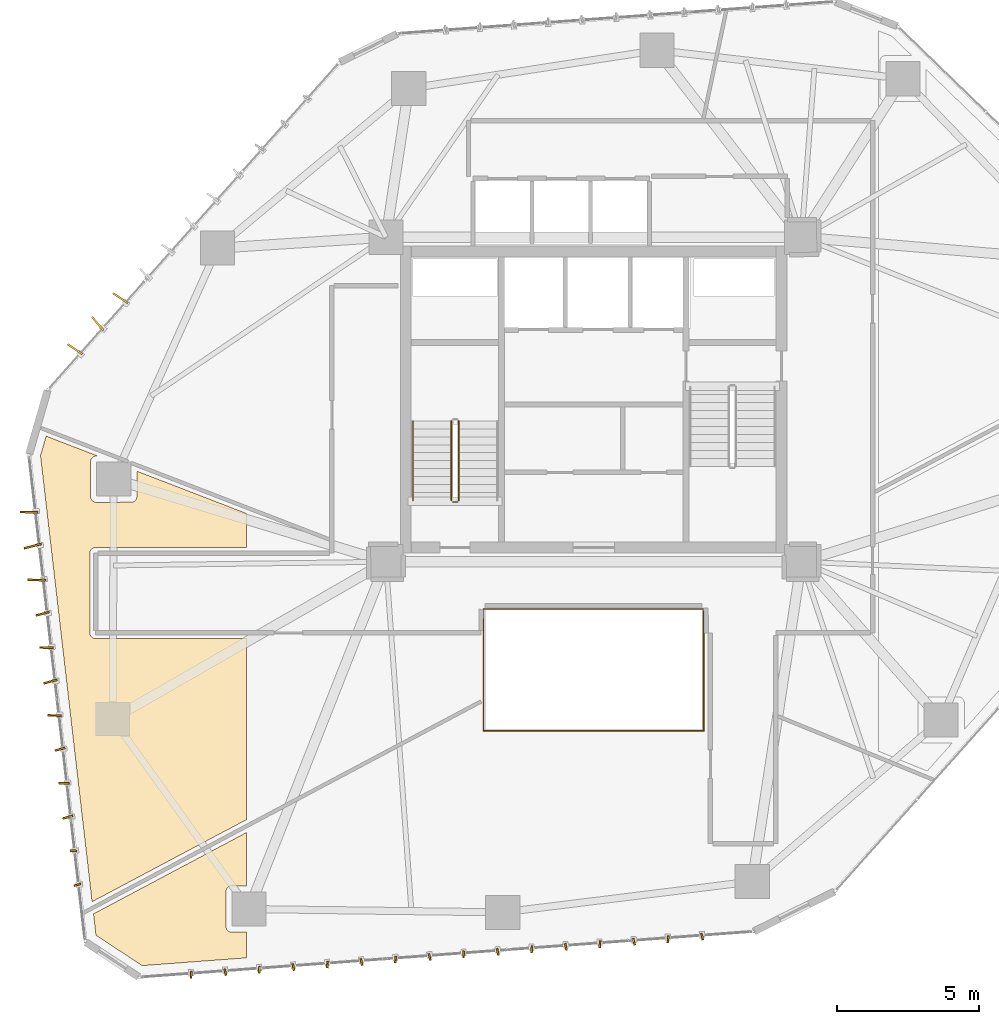
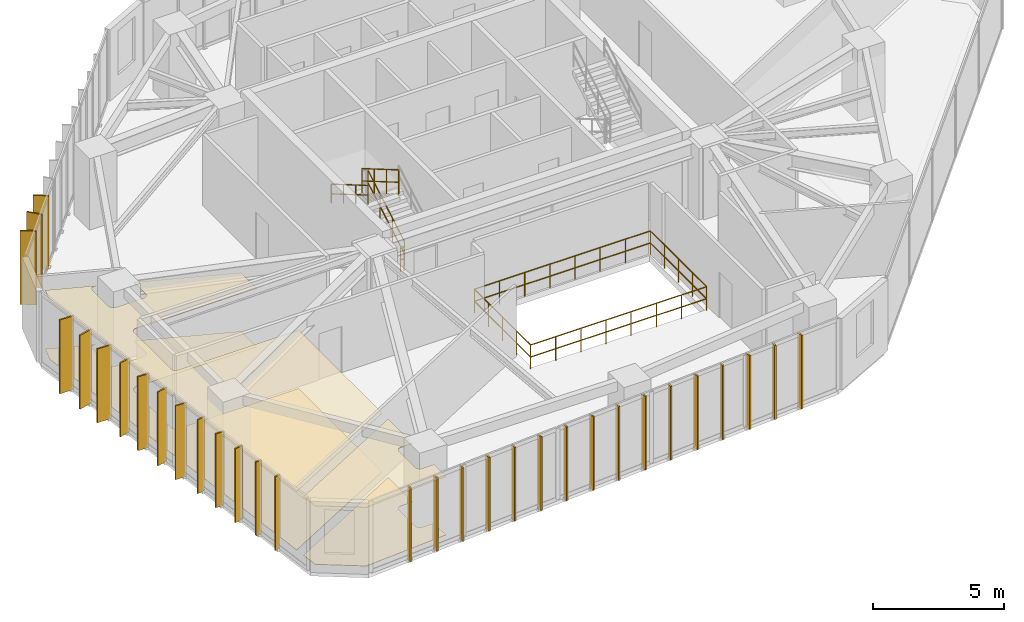
# One storey, part 21 of 23: 31 shading devices, 8 railings, 4 coverings.
"""IFC4 building model written with IfcOpenShell, lengths in metres."""

from ifc_helpers import new_model, si_unit, direction, frame, origin, origin_2d, place, context, subcontext, project, spatial, polyline, rectangle, circle, outline, extrude, source, transform, mapped, material, layer, layer_set, type_object, type_shapes, element, save


model = new_model("IFC4")

# Units and contexts
model_context = context("Model", 3, precision=1e-05, world=origin(), true_north=direction((0.0, 1.0)))
body_context = subcontext(model_context, "Body", "Model", "MODEL_VIEW")
ifc_project = project(units=[si_unit("LENGTHUNIT", "METRE"), si_unit("AREAUNIT", "SQUARE_METRE"), si_unit("VOLUMEUNIT", "CUBIC_METRE"), si_unit("PLANEANGLEUNIT", "RADIAN"), si_unit("MASSUNIT", "GRAM", prefix="KILO")], contexts=[model_context])

# Site, building, storey
site_placement = place(None, origin())
site = spatial("IfcSite", under=ifc_project, at=site_placement, CompositionType="ELEMENT")
building_placement = place(site_placement, origin())
building = spatial("IfcBuilding", under=site, at=building_placement, Name="Talar Marvaseh", CompositionType="ELEMENT")
storey_placement = place(building_placement, frame((0.0, 0.0, 103.800048828125)))
storey = spatial("IfcBuildingStorey", under=building, at=storey_placement, Name="L26", CompositionType="ELEMENT", Elevation=103.800048828125)

# Railings
ifc_material_1 = material(Name="Stainless Steel Grade 316", Category="steel")
railing_type_1 = type_object("IfcRailingType", Name="Brushed Stainless Wall Pitch Handrail 900", PredefinedType="HANDRAIL", material=ifc_material_1)
railing_1_placement = place(storey_placement, frame((19.64990234375, 30.449951171875, 1.963623046875)))
element("IfcRailing", 1, at=railing_1_placement, inside=storey, type_object=railing_type_1, Name="L26 ST-1 stair handrail 2", PredefinedType="HANDRAIL", context=body_context, shape_type="SweptSolid", body=[
    extrude(circle(Radius=0.02392578125, at=origin_2d()), frame((0.0, 0.0, 0.8759765625), z_axis=(0.0, -0.863393664356, 0.504530851732), x_axis=(1.0, 0.0, 0.0)), (0.0, 0.0, 1.0), 3.2431640625),
    extrude(circle(Radius=0.02392578125, at=origin_2d()), frame((0.0, 0.0, 0.42578125), z_axis=(0.0, -0.863393664356, 0.504530851732), x_axis=(1.0, 0.0, 0.0)), (0.0, 0.0, 1.0), 3.2431640625),
    extrude(circle(Radius=0.02099609375, at=origin_2d()), origin(), (0.0, 0.0, 1.0), 0.851806640625),
    extrude(circle(Radius=0.02099609375, at=origin_2d()), frame((0.0, -0.933349609375, 0.54541015625)), (0.0, 0.0, 1.0), 0.851806640625),
    extrude(circle(Radius=0.02099609375, at=origin_2d()), frame((0.0, -1.86669921875, 1.0908203125)), (0.0, 0.0, 1.0), 0.851806640625),
    extrude(circle(Radius=0.02099609375, at=origin_2d()), frame((0.0, -2.800048828125, 1.63623046875)), (0.0, 0.0, 1.0), 0.851806640625),
])
ifc_material_2 = material(Name="Tempered Clear Glass", Category="glass")
railing_type_2 = type_object("IfcRailingType", Name="Interior Atrium Edge Balustrade 1120", PredefinedType="BALUSTRADE", material=ifc_material_2)
railing_2_placement = place(storey_placement, frame((22.1298828125, 19.561279296875, 0.0)))
element("IfcRailing", 2, at=railing_2_placement, inside=storey, type_object=railing_type_2, Name="L26 Internal Daylight Atrium Balustrade 1", PredefinedType="BALUSTRADE", context=body_context, shape_type="SweptSolid", body=[
    extrude(circle(Radius=0.02392578125, at=origin_2d()), frame((0.0, 0.0, 1.09619140625), z_axis=(1.0, 0.0, 0.0), x_axis=(0.0, 1.0, 0.0)), (0.0, 0.0, 1.0), 7.740234375),
    extrude(circle(Radius=0.02392578125, at=origin_2d()), frame((0.0, 0.0, 0.5361328125), z_axis=(1.0, 0.0, 0.0), x_axis=(0.0, 1.0, 0.0)), (0.0, 0.0, 1.0), 7.740234375),
    extrude(circle(Radius=0.02099609375, at=origin_2d()), origin(), (0.0, 0.0, 1.0), 1.072021484375),
    extrude(circle(Radius=0.02099609375, at=origin_2d()), frame((1.105712890625, 0.0, 0.0)), (0.0, 0.0, 1.0), 1.072021484375),
    extrude(circle(Radius=0.02099609375, at=origin_2d()), frame((2.21142578125, 0.0, 0.0)), (0.0, 0.0, 1.0), 1.072021484375),
    extrude(circle(Radius=0.02099609375, at=origin_2d()), frame((3.317138671875, 0.0, 0.0)), (0.0, 0.0, 1.0), 1.072021484375),
    extrude(circle(Radius=0.02099609375, at=origin_2d()), frame((4.423095703125, 0.0, 0.0)), (0.0, 0.0, 1.0), 1.072021484375),
    extrude(circle(Radius=0.02099609375, at=origin_2d()), frame((5.52880859375, 0.0, 0.0)), (0.0, 0.0, 1.0), 1.072021484375),
    extrude(circle(Radius=0.02099609375, at=origin_2d()), frame((6.634521484375, 0.0, 0.0)), (0.0, 0.0, 1.0), 1.072021484375),
    extrude(circle(Radius=0.02099609375, at=origin_2d()), frame((7.740234375, 0.0, 0.0)), (0.0, 0.0, 1.0), 1.072021484375),
])
railing_3_placement = place(storey_placement, frame((29.8701171875, 19.561279296875, 0.0)))
element("IfcRailing", 3, at=railing_3_placement, inside=storey, type_object=railing_type_2, Name="L26 Internal Daylight Atrium Balustrade 2", PredefinedType="BALUSTRADE", context=body_context, shape_type="SweptSolid", body=[
    extrude(circle(Radius=0.02392578125, at=origin_2d()), frame((0.0, 0.0, 1.09619140625), z_axis=(0.0, 1.0, 0.0), x_axis=(-1.0, 0.0, 0.0)), (0.0, 0.0, 1.0), 4.27734375),
    extrude(circle(Radius=0.02392578125, at=origin_2d()), frame((0.0, 0.0, 0.5361328125), z_axis=(0.0, 1.0, 0.0), x_axis=(-1.0, 0.0, 0.0)), (0.0, 0.0, 1.0), 4.27734375),
    extrude(circle(Radius=0.02099609375, at=origin_2d()), origin(), (0.0, 0.0, 1.0), 1.072021484375),
    extrude(circle(Radius=0.02099609375, at=origin_2d()), frame((0.0, 1.0693359375, 0.0)), (0.0, 0.0, 1.0), 1.072021484375),
    extrude(circle(Radius=0.02099609375, at=origin_2d()), frame((0.0, 2.138671875, 0.0)), (0.0, 0.0, 1.0), 1.072021484375),
    extrude(circle(Radius=0.02099609375, at=origin_2d()), frame((0.0, 3.2080078125, 0.0)), (0.0, 0.0, 1.0), 1.072021484375),
    extrude(circle(Radius=0.02099609375, at=origin_2d()), frame((0.0, 4.27734375, 0.0)), (0.0, 0.0, 1.0), 1.072021484375),
])
railing_4_placement = place(storey_placement, frame((29.8701171875, 23.838623046875, 0.0)))
element("IfcRailing", 4, at=railing_4_placement, inside=storey, type_object=railing_type_2, Name="L26 Internal Daylight Atrium Balustrade 3", PredefinedType="BALUSTRADE", context=body_context, shape_type="SweptSolid", body=[
    extrude(circle(Radius=0.02392578125, at=origin_2d()), frame((0.0, 0.0, 1.09619140625), z_axis=(-1.0, 0.0, 0.0), x_axis=(0.0, -1.0, 0.0)), (0.0, 0.0, 1.0), 7.740234375),
    extrude(circle(Radius=0.02392578125, at=origin_2d()), frame((0.0, 0.0, 0.5361328125), z_axis=(-1.0, 0.0, 0.0), x_axis=(0.0, -1.0, 0.0)), (0.0, 0.0, 1.0), 7.740234375),
    extrude(circle(Radius=0.02099609375, at=origin_2d()), origin(), (0.0, 0.0, 1.0), 1.072021484375),
    extrude(circle(Radius=0.02099609375, at=origin_2d()), frame((-1.105712890625, 0.0, 0.0)), (0.0, 0.0, 1.0), 1.072021484375),
    extrude(circle(Radius=0.02099609375, at=origin_2d()), frame((-2.21142578125, 0.0, 0.0)), (0.0, 0.0, 1.0), 1.072021484375),
    extrude(circle(Radius=0.02099609375, at=origin_2d()), frame((-3.317138671875, 0.0, 0.0)), (0.0, 0.0, 1.0), 1.072021484375),
    extrude(circle(Radius=0.02099609375, at=origin_2d()), frame((-4.423095703125, 0.0, 0.0)), (0.0, 0.0, 1.0), 1.072021484375),
    extrude(circle(Radius=0.02099609375, at=origin_2d()), frame((-5.52880859375, 0.0, 0.0)), (0.0, 0.0, 1.0), 1.072021484375),
    extrude(circle(Radius=0.02099609375, at=origin_2d()), frame((-6.634521484375, 0.0, 0.0)), (0.0, 0.0, 1.0), 1.072021484375),
    extrude(circle(Radius=0.02099609375, at=origin_2d()), frame((-7.740234375, 0.0, 0.0)), (0.0, 0.0, 1.0), 1.072021484375),
])
railing_5_placement = place(storey_placement, frame((22.1298828125, 23.838623046875, 0.0)))
element("IfcRailing", 5, at=railing_5_placement, inside=storey, type_object=railing_type_2, Name="L26 Internal Daylight Atrium Balustrade 4", PredefinedType="BALUSTRADE", context=body_context, shape_type="SweptSolid", body=[
    extrude(circle(Radius=0.02392578125, at=origin_2d()), frame((0.0, 0.0, 1.09619140625), z_axis=(0.0, -1.0, 0.0), x_axis=(1.0, 0.0, 0.0)), (0.0, 0.0, 1.0), 4.27734375),
    extrude(circle(Radius=0.02392578125, at=origin_2d()), frame((0.0, 0.0, 0.5361328125), z_axis=(0.0, -1.0, 0.0), x_axis=(1.0, 0.0, 0.0)), (0.0, 0.0, 1.0), 4.27734375),
    extrude(circle(Radius=0.02099609375, at=origin_2d()), origin(), (0.0, 0.0, 1.0), 1.072021484375),
    extrude(circle(Radius=0.02099609375, at=origin_2d()), frame((0.0, -1.0693359375, 0.0)), (0.0, 0.0, 1.0), 1.072021484375),
    extrude(circle(Radius=0.02099609375, at=origin_2d()), frame((0.0, -2.138671875, 0.0)), (0.0, 0.0, 1.0), 1.072021484375),
    extrude(circle(Radius=0.02099609375, at=origin_2d()), frame((0.0, -3.2080078125, 0.0)), (0.0, 0.0, 1.0), 1.072021484375),
    extrude(circle(Radius=0.02099609375, at=origin_2d()), frame((0.0, -4.27734375, 0.0)), (0.0, 0.0, 1.0), 1.072021484375),
])
railing_type_3 = type_object("IfcRailingType", Name="Painted Steel Core Stair Well Guardrail 1150", PredefinedType="GUARDRAIL", material=ifc_material_1)
railing_6_placement = place(storey_placement, frame((21.260009765625, 27.64990234375, 0.16357421875)))
element("IfcRailing", 6, at=railing_6_placement, inside=storey, type_object=railing_type_3, Name="L26 ST-1 stair guard 1", PredefinedType="GUARDRAIL", context=body_context, shape_type="SweptSolid", body=[
    extrude(circle(Radius=0.02392578125, at=origin_2d()), frame((0.0, 0.0, 1.1259765625), z_axis=(0.0, 0.863360870873, 0.504586966384), x_axis=(-1.0, 0.0, 0.0)), (0.0, 0.0, 1.0), 3.2431640625),
    extrude(circle(Radius=0.02392578125, at=origin_2d()), frame((0.0, 0.0, 0.55078125), z_axis=(0.0, 0.863360870873, 0.504586966384), x_axis=(-1.0, 0.0, 0.0)), (0.0, 0.0, 1.0), 3.2431640625),
    extrude(circle(Radius=0.02099609375, at=origin_2d()), origin(), (0.0, 0.0, 1.0), 1.101806640625),
    extrude(circle(Radius=0.02099609375, at=origin_2d()), frame((0.0, 0.933349609375, 0.54541015625)), (0.0, 0.0, 1.0), 1.101806640625),
    extrude(circle(Radius=0.02099609375, at=origin_2d()), frame((0.0, 1.86669921875, 1.091064453125)), (0.0, 0.0, 1.0), 1.101806640625),
    extrude(circle(Radius=0.02099609375, at=origin_2d()), frame((0.0, 2.800048828125, 1.636474609375)), (0.0, 0.0, 1.0), 1.101806640625),
])
railing_7_placement = place(storey_placement, frame((21.0, 30.449951171875, 1.963623046875)))
element("IfcRailing", 7, at=railing_7_placement, inside=storey, type_object=railing_type_3, Name="L26 ST-1 stair guard 3", PredefinedType="GUARDRAIL", context=body_context, shape_type="SweptSolid", body=[
    extrude(circle(Radius=0.02392578125, at=origin_2d()), frame((0.0, 0.0, 1.1259765625), z_axis=(0.0, -0.863393664356, 0.504530851732), x_axis=(1.0, 0.0, 0.0)), (0.0, 0.0, 1.0), 3.2431640625),
    extrude(circle(Radius=0.02392578125, at=origin_2d()), frame((0.0, 0.0, 0.55078125), z_axis=(0.0, -0.863393664356, 0.504530851732), x_axis=(1.0, 0.0, 0.0)), (0.0, 0.0, 1.0), 3.2431640625),
    extrude(circle(Radius=0.02099609375, at=origin_2d()), origin(), (0.0, 0.0, 1.0), 1.101806640625),
    extrude(circle(Radius=0.02099609375, at=origin_2d()), frame((0.0, -0.933349609375, 0.54541015625)), (0.0, 0.0, 1.0), 1.101806640625),
    extrude(circle(Radius=0.02099609375, at=origin_2d()), frame((0.0, -1.86669921875, 1.0908203125)), (0.0, 0.0, 1.0), 1.101806640625),
    extrude(circle(Radius=0.02099609375, at=origin_2d()), frame((0.0, -2.800048828125, 1.63623046875)), (0.0, 0.0, 1.0), 1.101806640625),
])
railing_8_placement = place(storey_placement, frame((21.2099609375, 27.60009765625, 0.0)))
element("IfcRailing", 8, at=railing_8_placement, inside=storey, type_object=railing_type_3, Name="L26 ST-1 stair guard 4", PredefinedType="GUARDRAIL", context=body_context, shape_type="SweptSolid", body=[
    extrude(circle(Radius=0.02392578125, at=origin_2d()), frame((0.0, 0.0, 1.1259765625), z_axis=(-1.0, 0.0, 0.0), x_axis=(0.0, -1.0, 0.0)), (0.0, 0.0, 1.0), 0.159912109375),
    extrude(circle(Radius=0.02392578125, at=origin_2d()), frame((0.0, 0.0, 0.55078125), z_axis=(-1.0, 0.0, 0.0), x_axis=(0.0, -1.0, 0.0)), (0.0, 0.0, 1.0), 0.159912109375),
    extrude(circle(Radius=0.02099609375, at=origin_2d()), origin(), (0.0, 0.0, 1.0), 1.101806640625),
    extrude(circle(Radius=0.02099609375, at=origin_2d()), frame((-0.159912109375, 0.0, 0.0)), (0.0, 0.0, 1.0), 1.101806640625),
])

# Coverings
ifc_material_3 = material(Name="Mineral Fibre Acoustic Ceiling")
ifc_layer_1 = layer(ifc_material_3, 0.02490234375)
ifc_layer_set_1 = layer_set([ifc_layer_1], Name="Mineral Fibre Acoustic Ceiling")
covering_type_1 = type_object("IfcCoveringType", Name="Perforated Mineral Fibre Acoustic Suspended Ceiling", PredefinedType="CEILING", material=ifc_layer_set_1)
covering_1_placement = place(storey_placement, frame((0.0, 0.0, 2.719970703125)))
element("IfcCovering", 9, at=covering_1_placement, inside=storey, type_object=covering_type_1, Name="L26 Curatorial Office Acoustic Ceiling", PredefinedType="CEILING", context=body_context, shape_type="SweptSolid", body=[
    extrude(outline(polyline([(6.762939453125, 29.913818359375), (8.5673828125, 29.217041015625), (8.5380859375, 29.217041015625), (8.520263671875, 29.21630859375), (8.502685546875, 29.2138671875), (8.485595703125, 29.2099609375), (8.468505859375, 29.20458984375), (8.452392578125, 29.19775390625), (8.440673828125, 29.192138671875), (8.422607421875, 29.1826171875), (8.40576171875, 29.1708984375), (8.39013671875, 29.157958984375), (8.3759765625, 29.143310546875), (8.36328125, 29.127197265625), (8.352294921875, 29.10986328125), (8.343017578125, 29.091552734375), (8.3359375, 29.072509765625), (8.330810546875, 29.052734375), (8.327392578125, 29.032470703125), (8.326416015625, 29.01220703125), (8.322998046875, 27.802490234375), (8.323974609375, 27.78271484375), (8.326904296875, 27.76318359375), (8.33154296875, 27.744140625), (8.338134765625, 27.7255859375), (8.3466796875, 27.707763671875), (8.356689453125, 27.69091796875), (8.3662109375, 27.677001953125), (8.377685546875, 27.6611328125), (8.39111328125, 27.646484375), (8.405517578125, 27.63330078125), (8.42138671875, 27.62158203125), (8.438232421875, 27.611572265625), (8.4560546875, 27.603271484375), (8.474609375, 27.5966796875), (8.49365234375, 27.591796875), (8.51318359375, 27.589111328125), (8.53271484375, 27.588134765625), (9.7490234375, 27.59130859375), (9.768798828125, 27.59228515625), (9.7880859375, 27.59521484375), (9.806884765625, 27.60009765625), (9.8251953125, 27.606689453125), (9.843017578125, 27.614990234375), (9.85986328125, 27.625), (9.87548828125, 27.63671875), (9.889892578125, 27.64990234375), (9.903076171875, 27.664306640625), (9.914794921875, 27.68017578125), (9.9248046875, 27.69677734375), (9.93310546875, 27.714599609375), (9.939697265625, 27.73291015625), (9.944580078125, 27.751708984375), (9.947509765625, 27.77099609375), (9.948486328125, 27.790771484375), (9.951904296875, 28.682373046875), (13.800048828125, 27.196533203125), (13.800048828125, 26.0), (8.5, 26.0), (8.48046875, 25.9990234375), (8.4609375, 25.99609375), (8.44189453125, 25.991455078125), (8.423583984375, 25.98486328125), (8.40576171875, 25.976318359375), (8.388916015625, 25.96630859375), (8.373046875, 25.95458984375), (8.358642578125, 25.94140625), (8.345458984375, 25.927001953125), (8.333740234375, 25.9111328125), (8.323486328125, 25.894287109375), (8.315185546875, 25.87646484375), (8.30859375, 25.858154296875), (8.3037109375, 25.839111328125), (8.301025390625, 25.819580078125), (8.300048828125, 25.800048828125), (8.300048828125, 23.0), (8.301025390625, 22.98046875), (8.3037109375, 22.9609375), (8.30859375, 22.94189453125), (8.315185546875, 22.923583984375), (8.323486328125, 22.90576171875), (8.333740234375, 22.888916015625), (8.345458984375, 22.873046875), (8.358642578125, 22.858642578125), (8.373046875, 22.845458984375), (8.388916015625, 22.833740234375), (8.40576171875, 22.823486328125), (8.423583984375, 22.815185546875), (8.44189453125, 22.80859375), (8.4609375, 22.8037109375), (8.48046875, 22.801025390625), (8.5, 22.800048828125), (13.800048828125, 22.800048828125), (13.800048828125, 16.439697265625), (8.377685546875, 13.556396484375), (6.565185546875, 29.229736328125), (6.762939453125, 29.913818359375)])), origin(), (0.0, 0.0, 1.0), 0.02490234375),
])
covering_2_placement = place(storey_placement, frame((0.0, 0.0, 2.719970703125)))
element("IfcCovering", 10, at=covering_2_placement, inside=storey, type_object=covering_type_1, Name="L26 Seminar Room Acoustic Ceiling", PredefinedType="CEILING", context=body_context, shape_type="SweptSolid", body=[
    extrude(outline(polyline([(13.800048828125, 15.986572265625), (13.800048828125, 14.111572265625), (13.27978515625, 14.109619140625), (13.260009765625, 14.108642578125), (13.24072265625, 14.105712890625), (13.2216796875, 14.100830078125), (13.203369140625, 14.09423828125), (13.185791015625, 14.085693359375), (13.1689453125, 14.07568359375), (13.1533203125, 14.06396484375), (13.138671875, 14.05078125), (13.12548828125, 14.0361328125), (13.114013671875, 14.0205078125), (13.10400390625, 14.003662109375), (13.095703125, 13.986083984375), (13.089111328125, 13.967529296875), (13.084228515625, 13.948486328125), (13.081298828125, 13.92919921875), (13.080322265625, 13.90966796875), (13.080322265625, 12.6884765625), (13.081298828125, 12.668701171875), (13.084228515625, 12.6494140625), (13.089111328125, 12.63037109375), (13.095703125, 12.61181640625), (13.10400390625, 12.593994140625), (13.114013671875, 12.577392578125), (13.125732421875, 12.5615234375), (13.138916015625, 12.547119140625), (13.153564453125, 12.53369140625), (13.169189453125, 12.522216796875), (13.18603515625, 12.511962890625), (13.203857421875, 12.503662109375), (13.222412109375, 12.4970703125), (13.241455078125, 12.4921875), (13.2607421875, 12.489501953125), (13.280517578125, 12.48828125), (13.800048828125, 12.48828125), (13.800048828125, 11.58349609375), (10.13671875, 11.310791015625), (8.513916015625, 12.377685546875), (8.427001953125, 13.1298828125), (13.800048828125, 15.986572265625)])), origin(), (0.0, 0.0, 1.0), 0.02490234375),
])
ifc_material_4 = material(Name="Porcelain Stoneware Tile", Category="masonry")
ifc_layer_2 = layer(ifc_material_4, 0.02001953125)
ifc_layer_set_2 = layer_set([ifc_layer_2], Name="Porcelain Stoneware Tile")
covering_type_2 = type_object("IfcCoveringType", Name="Polished Porcelain Stoneware Gallery Flooring", PredefinedType="FLOORING", material=ifc_layer_set_2)
covering_3_placement = place(storey_placement, origin())
element("IfcCovering", 11, at=covering_3_placement, inside=storey, type_object=covering_type_2, Name="L26 Curatorial Office Flooring", PredefinedType="FLOORING", context=body_context, shape_type="SweptSolid", body=[
    extrude(outline(polyline([(6.762939453125, 29.913818359375), (8.5673828125, 29.217041015625), (8.5380859375, 29.217041015625), (8.520263671875, 29.21630859375), (8.502685546875, 29.2138671875), (8.485595703125, 29.2099609375), (8.468505859375, 29.20458984375), (8.452392578125, 29.19775390625), (8.440673828125, 29.192138671875), (8.422607421875, 29.1826171875), (8.40576171875, 29.1708984375), (8.39013671875, 29.157958984375), (8.3759765625, 29.143310546875), (8.36328125, 29.127197265625), (8.352294921875, 29.10986328125), (8.343017578125, 29.091552734375), (8.3359375, 29.072509765625), (8.330810546875, 29.052734375), (8.327392578125, 29.032470703125), (8.326416015625, 29.01220703125), (8.322998046875, 27.802490234375), (8.323974609375, 27.78271484375), (8.326904296875, 27.76318359375), (8.33154296875, 27.744140625), (8.338134765625, 27.7255859375), (8.3466796875, 27.707763671875), (8.356689453125, 27.69091796875), (8.3662109375, 27.677001953125), (8.377685546875, 27.6611328125), (8.39111328125, 27.646484375), (8.405517578125, 27.63330078125), (8.42138671875, 27.62158203125), (8.438232421875, 27.611572265625), (8.4560546875, 27.603271484375), (8.474609375, 27.5966796875), (8.49365234375, 27.591796875), (8.51318359375, 27.589111328125), (8.53271484375, 27.588134765625), (9.7490234375, 27.59130859375), (9.768798828125, 27.59228515625), (9.7880859375, 27.59521484375), (9.806884765625, 27.60009765625), (9.8251953125, 27.606689453125), (9.843017578125, 27.614990234375), (9.85986328125, 27.625), (9.87548828125, 27.63671875), (9.889892578125, 27.64990234375), (9.903076171875, 27.664306640625), (9.914794921875, 27.68017578125), (9.9248046875, 27.69677734375), (9.93310546875, 27.714599609375), (9.939697265625, 27.73291015625), (9.944580078125, 27.751708984375), (9.947509765625, 27.77099609375), (9.948486328125, 27.790771484375), (9.951904296875, 28.682373046875), (13.800048828125, 27.196533203125), (13.800048828125, 26.0), (8.5, 26.0), (8.48046875, 25.9990234375), (8.4609375, 25.99609375), (8.44189453125, 25.991455078125), (8.423583984375, 25.98486328125), (8.40576171875, 25.976318359375), (8.388916015625, 25.96630859375), (8.373046875, 25.95458984375), (8.358642578125, 25.94140625), (8.345458984375, 25.927001953125), (8.333740234375, 25.9111328125), (8.323486328125, 25.894287109375), (8.315185546875, 25.87646484375), (8.30859375, 25.858154296875), (8.3037109375, 25.839111328125), (8.301025390625, 25.819580078125), (8.300048828125, 25.800048828125), (8.300048828125, 23.0), (8.301025390625, 22.98046875), (8.3037109375, 22.9609375), (8.30859375, 22.94189453125), (8.315185546875, 22.923583984375), (8.323486328125, 22.90576171875), (8.333740234375, 22.888916015625), (8.345458984375, 22.873046875), (8.358642578125, 22.858642578125), (8.373046875, 22.845458984375), (8.388916015625, 22.833740234375), (8.40576171875, 22.823486328125), (8.423583984375, 22.815185546875), (8.44189453125, 22.80859375), (8.4609375, 22.8037109375), (8.48046875, 22.801025390625), (8.5, 22.800048828125), (13.800048828125, 22.800048828125), (13.800048828125, 16.439697265625), (8.377685546875, 13.556396484375), (6.565185546875, 29.229736328125), (6.762939453125, 29.913818359375)])), origin(), (0.0, 0.0, 1.0), 0.02001953125),
])
covering_4_placement = place(storey_placement, origin())
element("IfcCovering", 12, at=covering_4_placement, inside=storey, type_object=covering_type_2, Name="L26 Seminar Room Flooring", PredefinedType="FLOORING", context=body_context, shape_type="SweptSolid", body=[
    extrude(outline(polyline([(13.800048828125, 15.986572265625), (13.800048828125, 14.111572265625), (13.27978515625, 14.109619140625), (13.260009765625, 14.108642578125), (13.24072265625, 14.105712890625), (13.2216796875, 14.100830078125), (13.203369140625, 14.09423828125), (13.185791015625, 14.085693359375), (13.1689453125, 14.07568359375), (13.1533203125, 14.06396484375), (13.138671875, 14.05078125), (13.12548828125, 14.0361328125), (13.114013671875, 14.0205078125), (13.10400390625, 14.003662109375), (13.095703125, 13.986083984375), (13.089111328125, 13.967529296875), (13.084228515625, 13.948486328125), (13.081298828125, 13.92919921875), (13.080322265625, 13.90966796875), (13.080322265625, 12.6884765625), (13.081298828125, 12.668701171875), (13.084228515625, 12.6494140625), (13.089111328125, 12.63037109375), (13.095703125, 12.61181640625), (13.10400390625, 12.593994140625), (13.114013671875, 12.577392578125), (13.125732421875, 12.5615234375), (13.138916015625, 12.547119140625), (13.153564453125, 12.53369140625), (13.169189453125, 12.522216796875), (13.18603515625, 12.511962890625), (13.203857421875, 12.503662109375), (13.222412109375, 12.4970703125), (13.241455078125, 12.4921875), (13.2607421875, 12.489501953125), (13.280517578125, 12.48828125), (13.800048828125, 12.48828125), (13.800048828125, 11.58349609375), (10.13671875, 11.310791015625), (8.513916015625, 12.377685546875), (8.427001953125, 13.1298828125), (13.800048828125, 15.986572265625)])), origin(), (0.0, 0.0, 1.0), 0.02001953125),
])

# Shading devices
ifc_material_5 = material(Name="Anodised Champagne Bronze Aluminium", Category="aluminium")
ifc_layer_3 = layer(ifc_material_5, 0.06494140625)
ifc_layer_set_3 = layer_set([ifc_layer_3], Name="Anodised Champagne Bronze Aluminium")
shading_device_type_1 = type_object("IfcShadingDeviceType", Name="Sawtooth Champagne Bronze Vertical Fin 240", PredefinedType="USERDEFINED", material=ifc_layer_set_3)
shared_shape_1 = source(origin(), body_context, "Body", "SweptSolid", [
    extrude(rectangle(XDim=0.239990234375, YDim=0.06494140625, at=origin_2d()), origin(), (0.0, 0.0, 1.0), 3.429931640625),
])
type_shapes(shading_device_type_1, [shared_shape_1])
for number, where, z_axis, x_axis, name in (
    (13, (7.86083984375, 14.151123046875, -0.1201171875), (0.0, 0.0, 1.0), (-0.967709170482, -0.252069358243, 0.0), "L26 Sawtooth Vertical Solar Fin"),
    (14, (7.722900390625, 15.34326171875, -0.1201171875), (0.0, 0.0, 1.0), (-0.999701489781, 0.024432178153, 0.0), "L26 Sawtooth Vertical Solar Fin"),
    (15, (29.808349609375, 12.329345703125, -0.1201171875), (0.0, 0.0, 1.0), (0.212348227928, -0.977194059589, 0.0), "L26 Sawtooth Vertical Solar Fin"),
    (16, (28.61181640625, 12.240234375, -0.1201171875), (0.0, 0.0, 1.0), (-0.065228968998, -0.99787032304, 0.0), "L26 Sawtooth Vertical Solar Fin"),
    (17, (27.4150390625, 12.151123046875, -0.1201171875), (0.0, 0.0, 1.0), (0.212348227928, -0.977194059589, 0.0), "L26 Sawtooth Vertical Solar Fin"),
    (18, (26.218505859375, 12.06201171875, -0.1201171875), (0.0, 0.0, 1.0), (-0.065228968998, -0.99787032304, 0.0), "L26 Sawtooth Vertical Solar Fin"),
    (19, (25.021728515625, 11.972900390625, -0.1201171875), (0.0, 0.0, 1.0), (0.212348227928, -0.977194059589, 0.0), "L26 Sawtooth Vertical Solar Fin"),
    (20, (23.824951171875, 11.8837890625, -0.1201171875), (0.0, 0.0, 1.0), (-0.065228968998, -0.99787032304, 0.0), "L26 Sawtooth Vertical Solar Fin"),
    (21, (22.62841796875, 11.794677734375, -0.1201171875), (0.0, 0.0, 1.0), (0.212348227928, -0.977194059589, 0.0), "L26 Sawtooth Vertical Solar Fin"),
    (22, (21.431640625, 11.70556640625, -0.1201171875), (0.0, 0.0, 1.0), (-0.065228968998, -0.99787032304, 0.0), "L26 Sawtooth Vertical Solar Fin"),
    (23, (20.235107421875, 11.616455078125, -0.1201171875), (0.0, 0.0, 1.0), (0.212348227928, -0.977194059589, 0.0), "L26 Sawtooth Vertical Solar Fin"),
    (24, (19.038330078125, 11.52734375, -0.1201171875), (0.0, 0.0, 1.0), (-0.065228968998, -0.99787032304, 0.0), "L26 Sawtooth Vertical Solar Fin"),
    (25, (17.841552734375, 11.438232421875, -0.1201171875), (0.0, 0.0, 1.0), (0.212348227928, -0.977194059589, 0.0), "L26 Sawtooth Vertical Solar Fin"),
    (26, (16.64501953125, 11.34912109375, -0.1201171875), (0.0, 0.0, 1.0), (-0.065228968998, -0.99787032304, 0.0), "L26 Sawtooth Vertical Solar Fin"),
    (27, (15.4482421875, 11.260009765625, -0.1201171875), (0.0, 0.0, 1.0), (0.212348227928, -0.977194059589, 0.0), "L26 Sawtooth Vertical Solar Fin"),
    (28, (14.25146484375, 11.1708984375, -0.1201171875), (0.0, 0.0, 1.0), (-0.065228968998, -0.99787032304, 0.0), "L26 Sawtooth Vertical Solar Fin"),
    (29, (13.0546875, 11.081787109375, -0.1201171875), (0.0, 0.0, 1.0), (0.212348227928, -0.977194059589, 0.0), "L26 Sawtooth Vertical Solar Fin"),
    (30, (11.858154296875, 10.99267578125, -0.1201171875), (0.0, 0.0, 1.0), (-0.065228968998, -0.99787032304, 0.0), "L26 Sawtooth Vertical Solar Fin"),
):
    element("IfcShadingDevice", number, at=place(storey_placement, frame(where, z_axis=z_axis, x_axis=x_axis)), inside=storey, type_object=shading_device_type_1, Name=name, ObjectType="FIN", PredefinedType="USERDEFINED", context=body_context, shape_type="MappedRepresentation", body=[
        mapped(shared_shape_1, transform((0.0, 0.0, 0.0), x_axis=(1.0, 0.0, 0.0), y_axis=(0.0, 1.0, 0.0), z_axis=(0.0, 0.0, 1.0), scale=1.0)),
    ])
ifc_layer_4 = layer(ifc_material_5, 0.06494140625)
ifc_layer_set_4 = layer_set([ifc_layer_4], Name="Anodised Champagne Bronze Aluminium")
shading_device_type_2 = type_object("IfcShadingDeviceType", Name="Sawtooth Champagne Bronze Vertical Fin 360", PredefinedType="USERDEFINED", material=ifc_layer_set_4)
shared_shape_2 = source(origin(), body_context, "Body", "SweptSolid", [
    extrude(rectangle(XDim=0.360107421875, YDim=0.06494140625, at=origin_2d()), origin(), (0.0, 0.0, 1.0), 3.429931640625),
])
type_shapes(shading_device_type_2, [shared_shape_2])
for number, where, z_axis, x_axis, name in (
    (31, (7.525390625, 16.5283203125, -0.1201171875), (0.0, 0.0, 1.0), (-0.967709170482, -0.252069358243, 0.0), "L26 Sawtooth Vertical Solar Fin"),
    (32, (7.3876953125, 17.720458984375, -0.1201171875), (0.0, 0.0, 1.0), (-0.999701489781, 0.024432178153, 0.0), "L26 Sawtooth Vertical Solar Fin"),
    (33, (7.25, 18.91259765625, -0.1201171875), (0.0, 0.0, 1.0), (-0.967709170482, -0.252069358243, 0.0), "L26 Sawtooth Vertical Solar Fin"),
):
    element("IfcShadingDevice", number, at=place(storey_placement, frame(where, z_axis=z_axis, x_axis=x_axis)), inside=storey, type_object=shading_device_type_2, Name=name, ObjectType="FIN", PredefinedType="USERDEFINED", context=body_context, shape_type="MappedRepresentation", body=[
        mapped(shared_shape_2, transform((0.0, 0.0, 0.0), x_axis=(1.0, 0.0, 0.0), y_axis=(0.0, 1.0, 0.0), z_axis=(0.0, 0.0, 1.0), scale=1.0)),
    ])
ifc_layer_5 = layer(ifc_material_5, 0.06494140625)
ifc_layer_set_5 = layer_set([ifc_layer_5], Name="Anodised Champagne Bronze Aluminium")
shading_device_type_3 = type_object("IfcShadingDeviceType", Name="Sawtooth Champagne Bronze Vertical Fin 480", PredefinedType="USERDEFINED", material=ifc_layer_set_5)
shared_shape_3 = source(origin(), body_context, "Body", "SweptSolid", [
    extrude(rectangle(XDim=0.47998046875, YDim=0.06494140625, at=origin_2d()), origin(), (0.0, 0.0, 1.0), 3.429931640625),
])
type_shapes(shading_device_type_3, [shared_shape_3])
for number, where, z_axis, x_axis, name in (
    (34, (7.052490234375, 20.09765625, -0.1201171875), (0.0, 0.0, 1.0), (-0.999701489781, 0.024432178153, 0.0), "L26 Sawtooth Vertical Solar Fin"),
    (35, (6.91455078125, 21.289794921875, -0.1201171875), (0.0, 0.0, 1.0), (-0.967709170482, -0.252069358243, 0.0), "L26 Sawtooth Vertical Solar Fin"),
    (36, (6.776611328125, 22.481689453125, -0.1201171875), (0.0, 0.0, 1.0), (-0.999701489781, 0.024432178153, 0.0), "L26 Sawtooth Vertical Solar Fin"),
    (37, (6.638916015625, 23.673828125, -0.1201171875), (0.0, 0.0, 1.0), (-0.967709170482, -0.252069358243, 0.0), "L26 Sawtooth Vertical Solar Fin"),
):
    element("IfcShadingDevice", number, at=place(storey_placement, frame(where, z_axis=z_axis, x_axis=x_axis)), inside=storey, type_object=shading_device_type_3, Name=name, ObjectType="FIN", PredefinedType="USERDEFINED", context=body_context, shape_type="MappedRepresentation", body=[
        mapped(shared_shape_3, transform((0.0, 0.0, 0.0), x_axis=(1.0, 0.0, 0.0), y_axis=(0.0, 1.0, 0.0), z_axis=(0.0, 0.0, 1.0), scale=1.0)),
    ])
ifc_layer_6 = layer(ifc_material_5, 0.06494140625)
ifc_layer_set_6 = layer_set([ifc_layer_6], Name="Anodised Champagne Bronze Aluminium")
shading_device_type_4 = type_object("IfcShadingDeviceType", Name="Sawtooth Champagne Bronze Vertical Fin 620", PredefinedType="USERDEFINED", material=ifc_layer_set_6)
shared_shape_4 = source(origin(), body_context, "Body", "SweptSolid", [
    extrude(rectangle(XDim=0.6201171875, YDim=0.06494140625, at=origin_2d()), origin(), (0.0, 0.0, 1.0), 3.429931640625),
])
type_shapes(shading_device_type_4, [shared_shape_4])
for number, where, z_axis, x_axis, name in (
    (38, (6.431396484375, 24.85791015625, -0.1201171875), (0.0, 0.0, 1.0), (-0.999701489781, 0.024432178153, 0.0), "L26 Sawtooth Vertical Solar Fin"),
    (39, (6.293701171875, 26.050048828125, -0.1201171875), (0.0, 0.0, 1.0), (-0.967709170482, -0.252069358243, 0.0), "L26 Sawtooth Vertical Solar Fin"),
    (40, (6.15576171875, 27.241943359375, -0.1201171875), (0.0, 0.0, 1.0), (-0.999701489781, 0.024432178153, 0.0), "L26 Sawtooth Vertical Solar Fin"),
    (41, (7.776611328125, 32.96923828125, -0.1201171875), (0.0, 0.0, 1.0), (-0.832147748683, 0.554553986878, 0.0), "L26 Sawtooth Vertical Solar Fin"),
    (42, (8.574462890625, 33.865478515625, -0.1201171875), (0.0, 0.0, 1.0), (-0.647055961569, 0.762442511011, 0.0), "L26 Sawtooth Vertical Solar Fin"),
    (43, (9.37255859375, 34.76171875, -0.1201171875), (0.0, 0.0, 1.0), (-0.832147748683, 0.554553986878, 0.0), "L26 Sawtooth Vertical Solar Fin"),
):
    element("IfcShadingDevice", number, at=place(storey_placement, frame(where, z_axis=z_axis, x_axis=x_axis)), inside=storey, type_object=shading_device_type_4, Name=name, ObjectType="FIN", PredefinedType="USERDEFINED", context=body_context, shape_type="MappedRepresentation", body=[
        mapped(shared_shape_4, transform((0.0, 0.0, 0.0), x_axis=(1.0, 0.0, 0.0), y_axis=(0.0, 1.0, 0.0), z_axis=(0.0, 0.0, 1.0), scale=1.0)),
    ])

save(model, "model.ifc")
